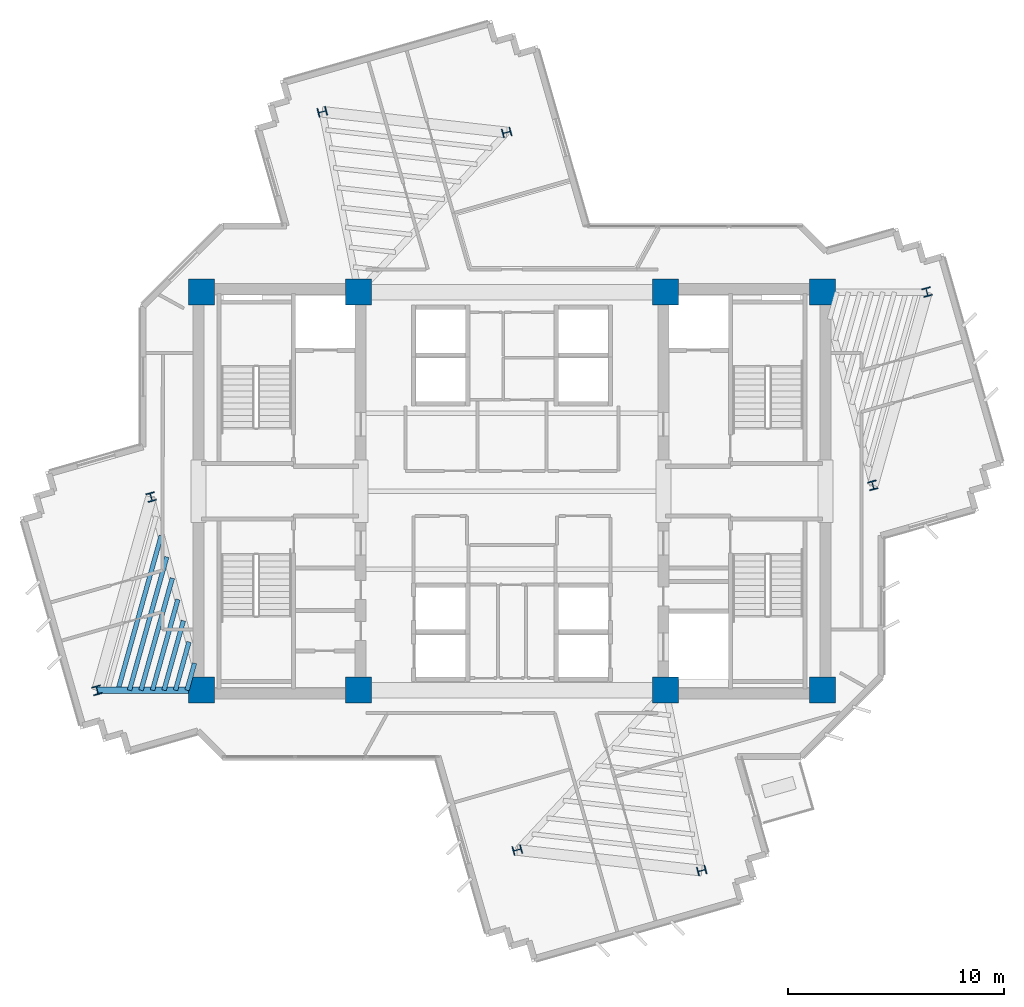
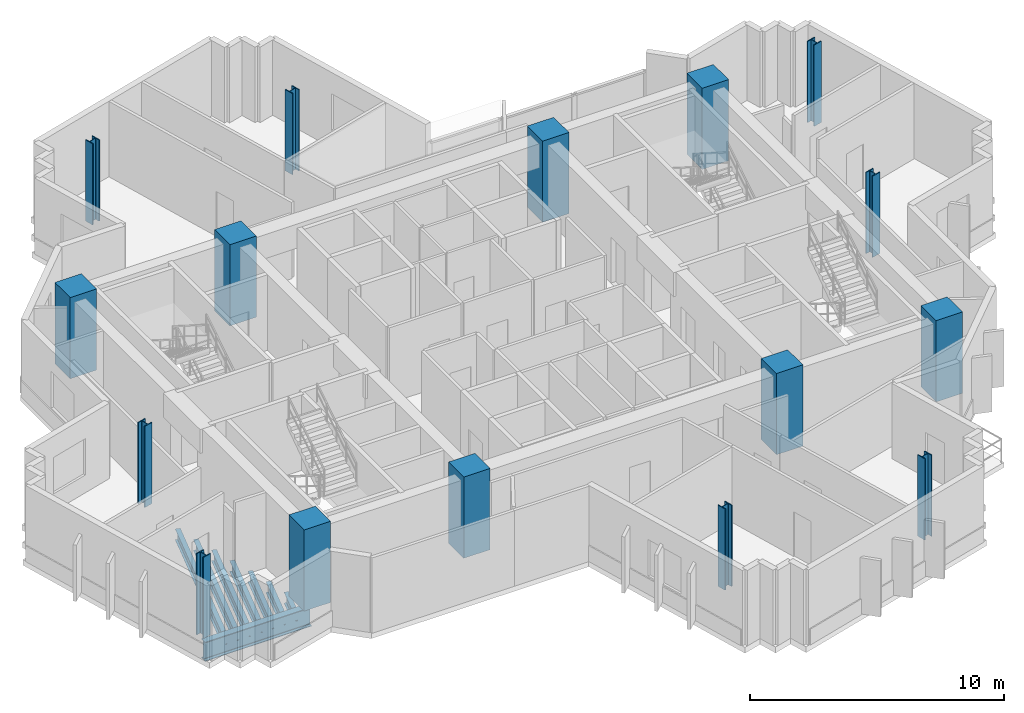
# One storey, part 1 of 14: 16 columns, 8 beams.
"""IFC4 building model written with IfcOpenShell, lengths in metres."""

from ifc_helpers import new_model, si_unit, direction, frame, origin, origin_2d, place, context, subcontext, project, spatial, rectangle, i_section, extrude, source, transform, mapped, material, material_profile, profile_set, type_object, element, save


model = new_model("IFC4")

# Units and contexts
model_context = context("Model", 3, precision=1e-05, world=origin(), true_north=direction((0.0, 1.0)))
body_context = subcontext(model_context, "Body", "Model", "MODEL_VIEW")
ifc_project = project(units=[si_unit("LENGTHUNIT", "METRE"), si_unit("AREAUNIT", "SQUARE_METRE"), si_unit("VOLUMEUNIT", "CUBIC_METRE"), si_unit("PLANEANGLEUNIT", "RADIAN"), si_unit("MASSUNIT", "GRAM", prefix="KILO")], contexts=[model_context])

# Site, building, storey
site_placement = place(None, origin())
site = spatial("IfcSite", under=ifc_project, at=site_placement, CompositionType="ELEMENT")
building_placement = place(site_placement, origin())
building = spatial("IfcBuilding", under=site, at=building_placement, Name="Zahravan Cultural Tower", CompositionType="ELEMENT")
storey_placement = place(building_placement, frame((0.0, 0.0, 205.800048828125)))
storey = spatial("IfcBuildingStorey", under=building, at=storey_placement, Name="L48", CompositionType="ELEMENT", Elevation=205.800048828125)

# Columns
ifc_material_1 = material(Name="Concrete C50/60", Category="concrete")
ifc_material_profile_1 = material_profile(ifc_material_1, rectangle(XDim=1.199951171875, YDim=1.199951171875, at=origin_2d()), Name="RC1200X1200")
ifc_profile_set_1 = profile_set([ifc_material_profile_1], Name="Concrete C50/60")
column_type_1 = type_object("IfcColumnType", Name="COL-RC1200", PredefinedType="COLUMN", material=ifc_profile_set_1)
shared_shape_1 = source(origin(), body_context, "Body", "SweptSolid", [
    extrude(rectangle(XDim=1.199951171875, YDim=1.199951171875, at=origin_2d()), origin(), (0.0, 0.0, 1.0), 3.89990234375),
])
for number, where, z_axis, x_axis, name in (
    (1, (21.64990234375, 17.800048828125, 0.0), (0.0, 0.0, 1.0), (1.0, 0.0, 0.0), "L48 Column CC-W1"),
    (2, (28.89990234375, 17.800048828125, 0.0), (0.0, 0.0, 1.0), (1.0, 0.0, 0.0), "L48 Column CC-W2"),
    (3, (21.64990234375, 36.199951171875, 0.0), (0.0, 0.0, 1.0), (1.0, 0.0, 0.0), "L48 Column CC-W3"),
    (4, (28.89990234375, 36.199951171875, 0.0), (0.0, 0.0, 1.0), (1.0, 0.0, 0.0), "L48 Column CC-W4"),
    (5, (43.10009765625, 17.800048828125, 0.0), (0.0, 0.0, 1.0), (1.0, 0.0, 0.0), "L48 Column CC-E1"),
    (6, (50.35009765625, 17.800048828125, 0.0), (0.0, 0.0, 1.0), (1.0, 0.0, 0.0), "L48 Column CC-E2"),
    (7, (43.10009765625, 36.199951171875, 0.0), (0.0, 0.0, 1.0), (1.0, 0.0, 0.0), "L48 Column CC-E3"),
    (8, (50.35009765625, 36.199951171875, 0.0), (0.0, 0.0, 1.0), (1.0, 0.0, 0.0), "L48 Column CC-E4"),
):
    element("IfcColumn", number, at=place(storey_placement, frame(where, z_axis=z_axis, x_axis=x_axis)), inside=storey, type_object=column_type_1, Name=name, PredefinedType="COLUMN", context=body_context, shape_type="MappedRepresentation", body=[
        mapped(shared_shape_1, transform((0.0, 0.0, 0.0), x_axis=(1.0, 0.0, 0.0), y_axis=(0.0, 1.0, 0.0), z_axis=(0.0, 0.0, 1.0), scale=1.0)),
    ])
ifc_material_2 = material(Name="Steel ASTM A992 Grade 50", Category="steel")
ifc_material_profile_2 = material_profile(ifc_material_2, i_section(OverallWidth=0.404052734375, OverallDepth=0.406982421875, WebThickness=0.027099609375, FlangeThickness=0.043701171875, FilletRadius=0.01806640625, at=origin_2d()), Name="W14X233")
ifc_profile_set_2 = profile_set([ifc_material_profile_2], Name="Steel ASTM A992 Grade 50")
column_type_2 = type_object("IfcColumnType", Name="COL-W14X233", PredefinedType="COLUMN", material=ifc_profile_set_2)
shared_shape_2 = source(origin(), body_context, "Body", "SweptSolid", [
    extrude(i_section(OverallWidth=0.404052734375, OverallDepth=0.406982421875, WebThickness=0.027099609375, FlangeThickness=0.043701171875, FilletRadius=0.01806640625, at=origin_2d()), origin(), (0.0, 0.0, 1.0), 3.89990234375),
])
for number, where, z_axis, x_axis, name in (
    (9, (52.684326171875, 27.27099609375, 0.0), (0.0, 0.0, 1.0), (0.966823388604, 0.255445757936, 0.0), "L48 Column Z2C-E1"),
    (10, (55.184814453125, 36.2060546875, 0.0), (0.0, 0.0, 1.0), (0.966823388604, 0.255445757936, 0.0), "L48 Column Z2C-E2"),
    (11, (35.754638671875, 43.587646484375, 0.0), (0.0, 0.0, 1.0), (-0.255445757936, 0.966823388604, 0.0), "L48 Column Z2C-N1"),
    (12, (27.22802734375, 44.541259765625, 0.0), (0.0, 0.0, 1.0), (-0.255445757936, 0.966823388604, 0.0), "L48 Column Z2C-N2"),
    (13, (19.315673828125, 26.72900390625, 0.0), (0.0, 0.0, 1.0), (0.966823388604, 0.255445757936, 0.0), "L48 Column Z2C-W1"),
    (14, (16.815185546875, 17.7939453125, 0.0), (0.0, 0.0, 1.0), (0.966823388604, 0.255445757936, 0.0), "L48 Column Z2C-W2"),
    (15, (36.245361328125, 10.412353515625, 0.0), (0.0, 0.0, 1.0), (-0.255445757936, 0.966823388604, 0.0), "L48 Column Z2C-S1"),
    (16, (44.77197265625, 9.458740234375, 0.0), (0.0, 0.0, 1.0), (-0.255445757936, 0.966823388604, 0.0), "L48 Column Z2C-S2"),
):
    element("IfcColumn", number, at=place(storey_placement, frame(where, z_axis=z_axis, x_axis=x_axis)), inside=storey, type_object=column_type_2, Name=name, PredefinedType="COLUMN", context=body_context, shape_type="MappedRepresentation", body=[
        mapped(shared_shape_2, transform((0.0, 0.0, 0.0), x_axis=(1.0, 0.0, 0.0), y_axis=(0.0, 1.0, 0.0), z_axis=(0.0, 0.0, 1.0), scale=1.0)),
    ])

# Beams
ifc_material_profile_3 = material_profile(ifc_material_2, i_section(OverallWidth=0.304931640625, OverallDepth=0.9189453125, WebThickness=0.017333984375, FlangeThickness=0.02783203125, FilletRadius=0.02392578125, at=origin_2d()), Name="W36X170")
ifc_profile_set_3 = profile_set([ifc_material_profile_3], Name="Steel ASTM A992 Grade 50")
beam_type_1 = type_object("IfcBeamType", Name="BM-G-W36X170", PredefinedType="BEAM", material=ifc_profile_set_3)
shared_shape_3 = source(origin(), body_context, "Body", "SweptSolid", [
    extrude(i_section(OverallWidth=0.304931640625, OverallDepth=0.9189453125, WebThickness=0.017333984375, FlangeThickness=0.02783203125, FilletRadius=0.02392578125, at=origin_2d()), origin(), (0.0, 0.0, 1.0), 4.834716796875),
])
beam_1_placement = place(storey_placement, frame((21.64990234375, 17.800048828125, -0.739501953125), z_axis=(-0.99999920313, -0.001262433979, 0.0), x_axis=(0.001262433979, -0.99999920313, 0.0)))
element("IfcBeam", 17, at=beam_1_placement, inside=storey, type_object=beam_type_1, Name="L48 Beam BG-L48-08", PredefinedType="BEAM", context=body_context, shape_type="MappedRepresentation", body=[
    mapped(shared_shape_3, transform((0.0, 0.0, 0.0), x_axis=(1.0, 0.0, 0.0), y_axis=(0.0, 1.0, 0.0), z_axis=(0.0, 0.0, 1.0), scale=1.0)),
])
ifc_material_profile_4 = material_profile(ifc_material_2, i_section(OverallWidth=0.2099609375, OverallDepth=0.532958984375, WebThickness=0.01025390625, FlangeThickness=0.015625, FilletRadius=0.013916015625, at=origin_2d()), Name="W21X62")
ifc_profile_set_4 = profile_set([ifc_material_profile_4], Name="Steel ASTM A992 Grade 50")
beam_type_2 = type_object("IfcBeamType", Name="BM-J-W21X62", PredefinedType="JOIST", material=ifc_profile_set_4)
shared_shape_4 = source(origin(), body_context, "Body", "SweptSolid", [
    extrude(i_section(OverallWidth=0.2099609375, OverallDepth=0.532958984375, WebThickness=0.01025390625, FlangeThickness=0.015625, FilletRadius=0.013916015625, at=origin_2d()), origin(), (0.0, 0.0, 1.0), 1.299072265625),
])
beam_2_placement = place(storey_placement, frame((21.3232421875, 19.050048828125, -0.546630859375), z_axis=(-0.269504444708, -0.962999145525, 0.0), x_axis=(0.962999145525, -0.269504444708, 0.0)))
element("IfcBeam", 18, at=beam_2_placement, inside=storey, type_object=beam_type_2, Name="L48 Beam BJ-L48-22", PredefinedType="JOIST", context=body_context, shape_type="MappedRepresentation", body=[
    mapped(shared_shape_4, transform((0.0, 0.0, 0.0), x_axis=(1.0, 0.0, 0.0), y_axis=(0.0, 1.0, 0.0), z_axis=(0.0, 0.0, 1.0), scale=1.0)),
])
shared_shape_5 = source(origin(), body_context, "Body", "SweptSolid", [
    extrude(i_section(OverallWidth=0.2099609375, OverallDepth=0.532958984375, WebThickness=0.01025390625, FlangeThickness=0.015625, FilletRadius=0.013916015625, at=origin_2d()), origin(), (0.0, 0.0, 1.0), 2.3193359375),
])
beam_3_placement = place(storey_placement, frame((21.06640625, 20.0322265625, -0.546630859375), z_axis=(-0.269462038626, -0.963011012263, 0.0), x_axis=(0.963011012263, -0.269462038626, 0.0)))
element("IfcBeam", 19, at=beam_3_placement, inside=storey, type_object=beam_type_2, Name="L48 Beam BJ-L48-23", PredefinedType="JOIST", context=body_context, shape_type="MappedRepresentation", body=[
    mapped(shared_shape_5, transform((0.0, 0.0, 0.0), x_axis=(1.0, 0.0, 0.0), y_axis=(0.0, 1.0, 0.0), z_axis=(0.0, 0.0, 1.0), scale=1.0)),
])
shared_shape_6 = source(origin(), body_context, "Body", "SweptSolid", [
    extrude(i_section(OverallWidth=0.2099609375, OverallDepth=0.532958984375, WebThickness=0.01025390625, FlangeThickness=0.015625, FilletRadius=0.013916015625, at=origin_2d()), origin(), (0.0, 0.0, 1.0), 3.340087890625),
])
beam_4_placement = place(storey_placement, frame((20.809814453125, 21.014404296875, -0.546630859375), z_axis=(-0.269562146951, -0.962982995141, 0.0), x_axis=(0.962982995141, -0.269562146951, 0.0)))
element("IfcBeam", 20, at=beam_4_placement, inside=storey, type_object=beam_type_2, Name="L48 Beam BJ-L48-24", PredefinedType="JOIST", context=body_context, shape_type="MappedRepresentation", body=[
    mapped(shared_shape_6, transform((0.0, 0.0, 0.0), x_axis=(1.0, 0.0, 0.0), y_axis=(0.0, 1.0, 0.0), z_axis=(0.0, 0.0, 1.0), scale=1.0)),
])
shared_shape_7 = source(origin(), body_context, "Body", "SweptSolid", [
    extrude(i_section(OverallWidth=0.2099609375, OverallDepth=0.532958984375, WebThickness=0.01025390625, FlangeThickness=0.015625, FilletRadius=0.013916015625, at=origin_2d()), origin(), (0.0, 0.0, 1.0), 4.36083984375),
])
beam_5_placement = place(storey_placement, frame((20.552978515625, 21.99658203125, -0.546630859375), z_axis=(-0.269511557673, -0.962997154866, 0.0), x_axis=(0.962997154866, -0.269511557673, 0.0)))
element("IfcBeam", 21, at=beam_5_placement, inside=storey, type_object=beam_type_2, Name="L48 Beam BJ-L48-25", PredefinedType="JOIST", context=body_context, shape_type="MappedRepresentation", body=[
    mapped(shared_shape_7, transform((0.0, 0.0, 0.0), x_axis=(1.0, 0.0, 0.0), y_axis=(0.0, 1.0, 0.0), z_axis=(0.0, 0.0, 1.0), scale=1.0)),
])
shared_shape_8 = source(origin(), body_context, "Body", "SweptSolid", [
    extrude(i_section(OverallWidth=0.2099609375, OverallDepth=0.532958984375, WebThickness=0.01025390625, FlangeThickness=0.015625, FilletRadius=0.013916015625, at=origin_2d()), origin(), (0.0, 0.0, 1.0), 5.3818359375),
])
beam_6_placement = place(storey_placement, frame((20.296142578125, 22.97900390625, -0.546630859375), z_axis=(-0.269510454638, -0.962997463569, 0.0), x_axis=(0.962997463569, -0.269510454638, 0.0)))
element("IfcBeam", 22, at=beam_6_placement, inside=storey, type_object=beam_type_2, Name="L48 Beam BJ-L48-26", PredefinedType="JOIST", context=body_context, shape_type="MappedRepresentation", body=[
    mapped(shared_shape_8, transform((0.0, 0.0, 0.0), x_axis=(1.0, 0.0, 0.0), y_axis=(0.0, 1.0, 0.0), z_axis=(0.0, 0.0, 1.0), scale=1.0)),
])
shared_shape_9 = source(origin(), body_context, "Body", "SweptSolid", [
    extrude(i_section(OverallWidth=0.2099609375, OverallDepth=0.532958984375, WebThickness=0.01025390625, FlangeThickness=0.015625, FilletRadius=0.013916015625, at=origin_2d()), origin(), (0.0, 0.0, 1.0), 6.402099609375),
])
beam_7_placement = place(storey_placement, frame((20.039306640625, 23.961181640625, -0.546630859375), z_axis=(-0.269494133533, -0.963002031146, 0.0), x_axis=(0.963002031146, -0.269494133533, 0.0)))
element("IfcBeam", 23, at=beam_7_placement, inside=storey, type_object=beam_type_2, Name="L48 Beam BJ-L48-27", PredefinedType="JOIST", context=body_context, shape_type="MappedRepresentation", body=[
    mapped(shared_shape_9, transform((0.0, 0.0, 0.0), x_axis=(1.0, 0.0, 0.0), y_axis=(0.0, 1.0, 0.0), z_axis=(0.0, 0.0, 1.0), scale=1.0)),
])
shared_shape_10 = source(origin(), body_context, "Body", "SweptSolid", [
    extrude(i_section(OverallWidth=0.2099609375, OverallDepth=0.532958984375, WebThickness=0.01025390625, FlangeThickness=0.015625, FilletRadius=0.013916015625, at=origin_2d()), origin(), (0.0, 0.0, 1.0), 7.4228515625),
])
beam_8_placement = place(storey_placement, frame((19.78271484375, 24.943359375, -0.546630859375), z_axis=(-0.269504266128, -0.962999195503, 0.0), x_axis=(0.962999195503, -0.269504266128, 0.0)))
element("IfcBeam", 24, at=beam_8_placement, inside=storey, type_object=beam_type_2, Name="L48 Beam BJ-L48-28", PredefinedType="JOIST", context=body_context, shape_type="MappedRepresentation", body=[
    mapped(shared_shape_10, transform((0.0, 0.0, 0.0), x_axis=(1.0, 0.0, 0.0), y_axis=(0.0, 1.0, 0.0), z_axis=(0.0, 0.0, 1.0), scale=1.0)),
])

save(model, "model.ifc")
